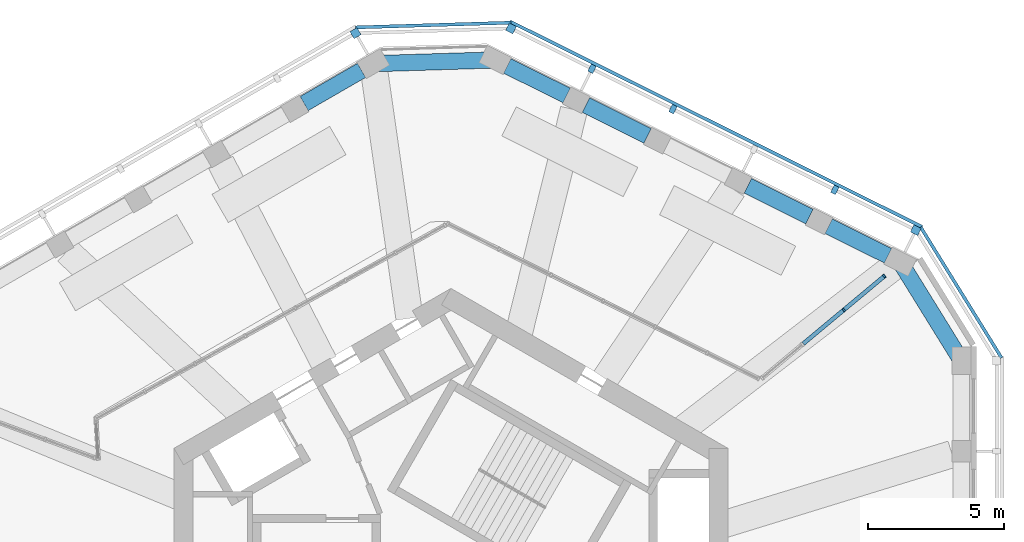
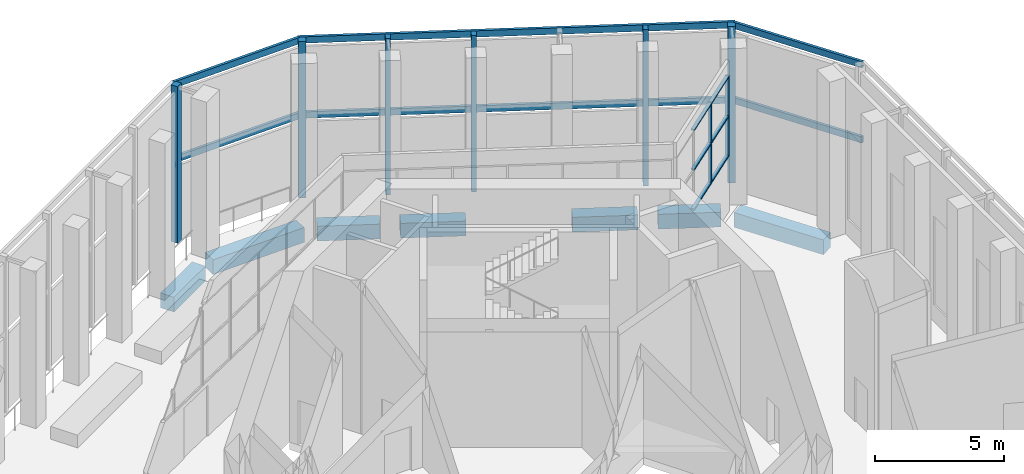
# One storey, part 5 of 16: 20 members, 7 beams, 5 elements without a shape of their own.
"""IFC4 building model written with IfcOpenShell, lengths in metres."""

from ifc_helpers import new_model, si_unit, direction, frame, origin, origin_2d, place, context, subcontext, project, spatial, rectangle, extrude, material, material_profile, profile_set, type_object, element, aggregate, save


model = new_model("IFC4")

# Units and contexts
model_context = context("Model", 3, precision=1e-05, world=origin(), true_north=direction((0.0, 1.0)))
body_context = subcontext(model_context, "Body", "Model", "MODEL_VIEW")
ifc_project = project(units=[si_unit("LENGTHUNIT", "METRE"), si_unit("AREAUNIT", "SQUARE_METRE"), si_unit("VOLUMEUNIT", "CUBIC_METRE"), si_unit("PLANEANGLEUNIT", "RADIAN"), si_unit("MASSUNIT", "GRAM", prefix="KILO")], contexts=[model_context])

# Site, building, storey
site_placement = place(None, origin())
site = spatial("IfcSite", under=ifc_project, at=site_placement, CompositionType="ELEMENT")
building_placement = place(site_placement, origin())
building = spatial("IfcBuilding", under=site, at=building_placement, Name="Vanh Sen Convention Tower", CompositionType="ELEMENT")
storey_placement = place(building_placement, frame((0.0, 0.0, 278.300048828125)))
storey = spatial("IfcBuildingStorey", under=building, at=storey_placement, Name="L69", CompositionType="ELEMENT", Elevation=278.300048828125)

# Curtain wall, members
ifc_material_1 = material(Name="Aluminium structural glazing system", Category="aluminium")
curtain_wall_type_1 = type_object("IfcCurtainWallType", Name="Sky garden structural glazing", PredefinedType="NOTDEFINED", material=ifc_material_1)
curtain_wall_1_placement = place(storey_placement, origin())
curtain_wall_1 = element("IfcCurtainWall", 1, at=curtain_wall_1_placement, inside=storey, type_object=curtain_wall_type_1, Name="Winter garden glazing 5 L69", PredefinedType="NOTDEFINED")
ifc_material_2 = material(Name="Aluminium mullion", Category="aluminium")
ifc_material_profile_1 = material_profile(ifc_material_2, rectangle(XDim=0.14990234375, YDim=0.070068359375, at=origin_2d()), Name="Garden glazing mullion 70 x 150")
ifc_profile_set_1 = profile_set([ifc_material_profile_1], Name="Aluminium mullion")
member_type_1 = type_object("IfcMemberType", Name="Garden glazing mullion 70 x 150", PredefinedType="MULLION", material=ifc_profile_set_1)
member_1_placement = place(storey_placement, frame((14.46826171875, 10.984619140625, 2.599853515625), z_axis=(0.0, 0.0, 1.0), x_axis=(-0.640091511877, 0.768298676572, 0.0)))
member_1 = element("IfcMember", 2, at=member_1_placement, type_object=member_type_1, Name="CW5 mullion 3", PredefinedType="MULLION", context=body_context, shape_type="SweptSolid", body=[
    extrude(rectangle(XDim=0.14990234375, YDim=0.070068359375, at=origin_2d()), origin(), (0.0, 0.0, 1.0), 3.820068359375),
])
member_2_placement = place(storey_placement, frame((15.960205078125, 12.2275390625, 2.599853515625), z_axis=(0.0, 0.0, 1.0), x_axis=(-0.640091511877, 0.768298676572, 0.0)))
member_2 = element("IfcMember", 3, at=member_2_placement, type_object=member_type_1, Name="CW5 mullion 4", PredefinedType="MULLION", context=body_context, shape_type="SweptSolid", body=[
    extrude(rectangle(XDim=0.14990234375, YDim=0.070068359375, at=origin_2d()), origin(), (0.0, 0.0, 1.0), 3.820068359375),
])
ifc_material_3 = material(Name="Aluminium transom", Category="aluminium")
ifc_material_profile_2 = material_profile(ifc_material_3, rectangle(XDim=0.14990234375, YDim=0.070068359375, at=origin_2d()), Name="Garden glazing transom 150 x 70")
ifc_profile_set_2 = profile_set([ifc_material_profile_2], Name="Aluminium transom")
member_type_2 = type_object("IfcMemberType", Name="Garden glazing transom 150 x 70", PredefinedType="USERDEFINED", material=ifc_profile_set_2)
member_3_placement = place(storey_placement, frame((12.976318359375, 9.74169921875, 2.635009765625), z_axis=(0.768273745987, 0.64012143475, 0.0), x_axis=(-0.64012143475, 0.768273745987, 0.0)))
member_3 = element("IfcMember", 4, at=member_3_placement, type_object=member_type_2, Name="CW5 transom 2.1", ObjectType="TRANSOM", PredefinedType="USERDEFINED", context=body_context, shape_type="SweptSolid", body=[
    extrude(rectangle(XDim=0.14990234375, YDim=0.070068359375, at=origin_2d()), origin(), (0.0, 0.0, 1.0), 1.906982421875),
])
member_4_placement = place(storey_placement, frame((12.976318359375, 9.74169921875, 4.510009765625), z_axis=(0.768273745987, 0.64012143475, 0.0), x_axis=(-0.64012143475, 0.768273745987, 0.0)))
member_4 = element("IfcMember", 5, at=member_4_placement, type_object=member_type_2, Name="CW5 transom 2.2", ObjectType="TRANSOM", PredefinedType="USERDEFINED", context=body_context, shape_type="SweptSolid", body=[
    extrude(rectangle(XDim=0.14990234375, YDim=0.070068359375, at=origin_2d()), origin(), (0.0, 0.0, 1.0), 1.906982421875),
])
member_5_placement = place(storey_placement, frame((12.976318359375, 9.74169921875, 6.385009765625), z_axis=(0.768273745987, 0.64012143475, 0.0), x_axis=(-0.64012143475, 0.768273745987, 0.0)))
member_5 = element("IfcMember", 6, at=member_5_placement, type_object=member_type_2, Name="CW5 transom 2.3", ObjectType="TRANSOM", PredefinedType="USERDEFINED", context=body_context, shape_type="SweptSolid", body=[
    extrude(rectangle(XDim=0.14990234375, YDim=0.070068359375, at=origin_2d()), origin(), (0.0, 0.0, 1.0), 1.906982421875),
])
member_6_placement = place(storey_placement, frame((14.4951171875, 11.007080078125, 2.635009765625), z_axis=(0.76830680886, 0.640081750607, 0.0), x_axis=(-0.640081750607, 0.76830680886, 0.0)))
member_6 = element("IfcMember", 7, at=member_6_placement, type_object=member_type_2, Name="CW5 transom 3.1", ObjectType="TRANSOM", PredefinedType="USERDEFINED", context=body_context, shape_type="SweptSolid", body=[
    extrude(rectangle(XDim=0.14990234375, YDim=0.070068359375, at=origin_2d()), origin(), (0.0, 0.0, 1.0), 1.87158203125),
])
member_7_placement = place(storey_placement, frame((14.4951171875, 11.007080078125, 4.510009765625), z_axis=(0.76830680886, 0.640081750607, 0.0), x_axis=(-0.640081750607, 0.76830680886, 0.0)))
member_7 = element("IfcMember", 8, at=member_7_placement, type_object=member_type_2, Name="CW5 transom 3.2", ObjectType="TRANSOM", PredefinedType="USERDEFINED", context=body_context, shape_type="SweptSolid", body=[
    extrude(rectangle(XDim=0.14990234375, YDim=0.070068359375, at=origin_2d()), origin(), (0.0, 0.0, 1.0), 1.87158203125),
])
member_8_placement = place(storey_placement, frame((14.4951171875, 11.007080078125, 6.385009765625), z_axis=(0.76830680886, 0.640081750607, 0.0), x_axis=(-0.640081750607, 0.76830680886, 0.0)))
member_8 = element("IfcMember", 9, at=member_8_placement, type_object=member_type_2, Name="CW5 transom 3.3", ObjectType="TRANSOM", PredefinedType="USERDEFINED", context=body_context, shape_type="SweptSolid", body=[
    extrude(rectangle(XDim=0.14990234375, YDim=0.070068359375, at=origin_2d()), origin(), (0.0, 0.0, 1.0), 1.87158203125),
])
aggregate(curtain_wall_1, [member_1, member_2, member_3, member_4, member_5, member_6, member_7, member_8])

ifc_material_4 = material(Name="Concrete C50/60", Category="concrete")
curtain_wall_type_2 = type_object("IfcCurtainWallType", Name="Outer skin office zone", PredefinedType="NOTDEFINED", material=ifc_material_4)
curtain_wall_2_placement = place(storey_placement, origin())
curtain_wall_2 = element("IfcCurtainWall", 10, at=curtain_wall_2_placement, inside=storey, type_object=curtain_wall_type_2, Name="OUTER SKIN NE L69", PredefinedType="NOTDEFINED")
ifc_material_profile_3 = material_profile(ifc_material_4, rectangle(XDim=0.300048828125, YDim=0.300048828125, at=origin_2d()), Name="Outer skin precast corner fin 300 x 300")
ifc_profile_set_3 = profile_set([ifc_material_profile_3], Name="Concrete C50/60")
member_type_3 = type_object("IfcMemberType", Name="Outer skin precast corner fin 300 x 300", PredefinedType="MULLION", material=ifc_profile_set_3)
member_9_placement = place(storey_placement, frame((17.122802734375, 13.922607421875, 0.0), z_axis=(0.0, 0.0, 1.0), x_axis=(-0.894934361602, 0.44619781311, 0.0)))
member_9 = element("IfcMember", 11, at=member_9_placement, type_object=member_type_3, Name="OUTER SKIN CORNER FIN 1 NE L69", PredefinedType="MULLION", context=body_context, shape_type="SweptSolid", body=[
    extrude(rectangle(XDim=0.300048828125, YDim=0.300048828125, at=origin_2d()), origin(), (0.0, 0.0, 1.0), 7.39990234375),
])
member_10_placement = place(storey_placement, frame((2.21484375, 21.35546875, 0.0), z_axis=(0.0, 0.0, 1.0), x_axis=(-0.894934361602, 0.44619781311, 0.0)))
member_10 = element("IfcMember", 12, at=member_10_placement, type_object=member_type_3, Name="OUTER SKIN CORNER FIN 6 NE L69", PredefinedType="MULLION", context=body_context, shape_type="SweptSolid", body=[
    extrude(rectangle(XDim=0.300048828125, YDim=0.300048828125, at=origin_2d()), origin(), (0.0, 0.0, 1.0), 7.39990234375),
])

# Curtain wall, member
curtain_wall_3_placement = place(storey_placement, origin())
curtain_wall_3 = element("IfcCurtainWall", 13, at=curtain_wall_3_placement, inside=storey, type_object=curtain_wall_type_2, Name="OUTER SKIN NW L69", PredefinedType="NOTDEFINED")
member_11_placement = place(storey_placement, frame((-3.514404296875, 21.180419921875, 0.0), z_axis=(0.0, 0.0, 1.0), x_axis=(-0.866025403784, -0.5, 0.0)))
member_11 = element("IfcMember", 14, at=member_11_placement, type_object=member_type_3, Name="OUTER SKIN CORNER FIN 1 NW L69", PredefinedType="MULLION", context=body_context, shape_type="SweptSolid", body=[
    extrude(rectangle(XDim=0.300048828125, YDim=0.300048828125, at=origin_2d()), origin(), (0.0, 0.0, 1.0), 7.39990234375),
])
aggregate(curtain_wall_3, [member_11])

# Member
ifc_material_profile_4 = material_profile(ifc_material_4, rectangle(XDim=0.199951171875, YDim=0.300048828125, at=origin_2d()), Name="Outer skin precast fin 200 x 300")
ifc_profile_set_4 = profile_set([ifc_material_profile_4], Name="Concrete C50/60")
member_type_4 = type_object("IfcMemberType", Name="Outer skin precast fin 200 x 300", PredefinedType="MULLION", material=ifc_profile_set_4)
member_12_placement = place(storey_placement, frame((14.14111328125, 15.4091796875, 0.0), z_axis=(0.0, 0.0, 1.0), x_axis=(-0.894934361602, 0.44619781311, 0.0)))
member_12 = element("IfcMember", 15, at=member_12_placement, type_object=member_type_4, Name="OUTER SKIN fin 2 NE L69", PredefinedType="MULLION", context=body_context, shape_type="SweptSolid", body=[
    extrude(rectangle(XDim=0.199951171875, YDim=0.300048828125, at=origin_2d()), origin(), (0.0, 0.0, 1.0), 7.39990234375),
])

member_13_placement = place(storey_placement, frame((8.177978515625, 18.38232421875, 0.0), z_axis=(0.0, 0.0, 1.0), x_axis=(-0.894934361602, 0.44619781311, 0.0)))
member_13 = element("IfcMember", 16, at=member_13_placement, type_object=member_type_4, Name="OUTER SKIN fin 4 NE L69", PredefinedType="MULLION", context=body_context, shape_type="SweptSolid", body=[
    extrude(rectangle(XDim=0.199951171875, YDim=0.300048828125, at=origin_2d()), origin(), (0.0, 0.0, 1.0), 7.39990234375),
])

member_14_placement = place(storey_placement, frame((5.1962890625, 19.868896484375, 0.0), z_axis=(0.0, 0.0, 1.0), x_axis=(-0.894934361602, 0.44619781311, 0.0)))
member_14 = element("IfcMember", 17, at=member_14_placement, type_object=member_type_4, Name="OUTER SKIN fin 5 NE L69", PredefinedType="MULLION", context=body_context, shape_type="SweptSolid", body=[
    extrude(rectangle(XDim=0.199951171875, YDim=0.300048828125, at=origin_2d()), origin(), (0.0, 0.0, 1.0), 7.39990234375),
])

# Curtain wall, members
curtain_wall_4_placement = place(storey_placement, origin())
curtain_wall_4 = element("IfcCurtainWall", 18, at=curtain_wall_4_placement, inside=storey, type_object=curtain_wall_type_2, Name="OUTER SKIN CH1 L69", PredefinedType="NOTDEFINED")
ifc_material_profile_5 = material_profile(ifc_material_4, rectangle(XDim=0.1201171875, YDim=0.300048828125, at=origin_2d()), Name="Outer skin precast spandrel band 300 x 120")
ifc_profile_set_5 = profile_set([ifc_material_profile_5], Name="Concrete C50/60")
member_type_5 = type_object("IfcMemberType", Name="Outer skin precast spandrel band 300 x 120", PredefinedType="USERDEFINED", material=ifc_profile_set_5)
member_15_placement = place(storey_placement, frame((20.278564453125, 9.221923828125, 7.25), z_axis=(-0.52621200061, 0.850353415007, 0.0), x_axis=(-0.850353415007, -0.52621200061, 0.0)))
member_15 = element("IfcMember", 19, at=member_15_placement, type_object=member_type_5, Name="OUTER SKIN spandrel band CH1 L69", ObjectType="TRANSOM", PredefinedType="USERDEFINED", context=body_context, shape_type="SweptSolid", body=[
    extrude(rectangle(XDim=0.1201171875, YDim=0.300048828125, at=origin_2d()), origin(), (0.0, 0.0, 1.0), 5.657958984375),
])
member_16_placement = place(storey_placement, frame((20.278564453125, 9.221923828125, 3.699951171875), z_axis=(-0.52621200061, 0.850353415007, 0.0), x_axis=(-0.850353415007, -0.52621200061, 0.0)))
member_16 = element("IfcMember", 20, at=member_16_placement, type_object=member_type_5, Name="OUTER SKIN spandrel band CH1 L69 mid", ObjectType="TRANSOM", PredefinedType="USERDEFINED", context=body_context, shape_type="SweptSolid", body=[
    extrude(rectangle(XDim=0.1201171875, YDim=0.300048828125, at=origin_2d()), origin(), (0.0, 0.0, 1.0), 5.657958984375),
])
aggregate(curtain_wall_4, [member_15, member_16])

# Member
member_17_placement = place(storey_placement, frame((17.3505859375, 14.043701171875, 7.25), z_axis=(-0.894933383827, 0.446199774218, 0.0), x_axis=(-0.446199774218, -0.894933383827, 0.0)))
member_17 = element("IfcMember", 21, at=member_17_placement, type_object=member_type_5, Name="OUTER SKIN spandrel band NE L69", ObjectType="TRANSOM", PredefinedType="USERDEFINED", context=body_context, shape_type="SweptSolid", body=[
    extrude(rectangle(XDim=0.1201171875, YDim=0.300048828125, at=origin_2d()), origin(), (0.0, 0.0, 1.0), 16.9580078125),
])

member_18_placement = place(storey_placement, frame((17.3505859375, 14.043701171875, 3.699951171875), z_axis=(-0.894933383827, 0.446199774218, 0.0), x_axis=(-0.446199774218, -0.894933383827, 0.0)))
member_18 = element("IfcMember", 22, at=member_18_placement, type_object=member_type_5, Name="OUTER SKIN spandrel band NE L69 mid", ObjectType="TRANSOM", PredefinedType="USERDEFINED", context=body_context, shape_type="SweptSolid", body=[
    extrude(rectangle(XDim=0.1201171875, YDim=0.300048828125, at=origin_2d()), origin(), (0.0, 0.0, 1.0), 16.9580078125),
])

aggregate(curtain_wall_2, [member_9, member_12, member_13, member_14, member_10, member_17, member_18])

# Curtain wall, members
curtain_wall_5_placement = place(storey_placement, origin())
curtain_wall_5 = element("IfcCurtainWall", 23, at=curtain_wall_5_placement, inside=storey, type_object=curtain_wall_type_2, Name="OUTER SKIN CH2 L69", PredefinedType="NOTDEFINED")
member_19_placement = place(storey_placement, frame((2.208251953125, 21.5654296875, 7.25), z_axis=(-0.999533527312, -0.030540592307, 0.0), x_axis=(0.030540592307, -0.999533527312, 0.0)))
member_19 = element("IfcMember", 24, at=member_19_placement, type_object=member_type_5, Name="OUTER SKIN spandrel band CH2 L69", ObjectType="TRANSOM", PredefinedType="USERDEFINED", context=body_context, shape_type="SweptSolid", body=[
    extrude(rectangle(XDim=0.1201171875, YDim=0.300048828125, at=origin_2d()), origin(), (0.0, 0.0, 1.0), 5.731689453125),
])
member_20_placement = place(storey_placement, frame((2.208251953125, 21.5654296875, 3.699951171875), z_axis=(-0.999533527312, -0.030540592307, 0.0), x_axis=(0.030540592307, -0.999533527312, 0.0)))
member_20 = element("IfcMember", 25, at=member_20_placement, type_object=member_type_5, Name="OUTER SKIN spandrel band CH2 L69 mid", ObjectType="TRANSOM", PredefinedType="USERDEFINED", context=body_context, shape_type="SweptSolid", body=[
    extrude(rectangle(XDim=0.1201171875, YDim=0.300048828125, at=origin_2d()), origin(), (0.0, 0.0, 1.0), 5.731689453125),
])
aggregate(curtain_wall_5, [member_19, member_20])

# Beams
ifc_material_5 = material(Name="Concrete C50/60", Category="concrete")
ifc_material_profile_6 = material_profile(ifc_material_5, rectangle(XDim=0.60009765625, YDim=0.699951171875, at=origin_2d()), Name="RC 600X700")
ifc_profile_set_6 = profile_set([ifc_material_profile_6], Name="Concrete C50/60")
beam_type = type_object("IfcBeamType", Name="Spandrel beam 600 x 700", PredefinedType="SPANDREL", material=ifc_profile_set_6)
beam_1_placement = place(storey_placement, frame((18.707763671875, 9.260498046875, -0.699951171875), z_axis=(-0.526205246262, 0.850357594666, 0.0), x_axis=(-0.850357594666, -0.526205246262, 0.0)))
element("IfcBeam", 26, at=beam_1_placement, inside=storey, type_object=beam_type, Name="Spandrel beam 06 L69", PredefinedType="SPANDREL", context=body_context, shape_type="SweptSolid", body=[
    extrude(rectangle(XDim=0.60009765625, YDim=0.699951171875, at=origin_2d()), origin(), (0.0, 0.0, 1.0), 3.93896484375),
])
beam_2_placement = place(storey_placement, frame((16.099609375, 12.97998046875, -0.699951171875), z_axis=(-0.894906625839, 0.446253438114, 0.0), x_axis=(-0.446253438114, -0.894906625839, 0.0)))
element("IfcBeam", 27, at=beam_2_placement, inside=storey, type_object=beam_type, Name="Spandrel beam 07 L69", PredefinedType="SPANDREL", context=body_context, shape_type="SweptSolid", body=[
    extrude(rectangle(XDim=0.60009765625, YDim=0.699951171875, at=origin_2d()), origin(), (0.0, 0.0, 1.0), 2.441650390625),
])
beam_3_placement = place(storey_placement, frame((13.20751953125, 14.422119140625, -0.699951171875), z_axis=(-0.894926162451, 0.446214257684, 0.0), x_axis=(-0.446214257684, -0.894926162451, 0.0)))
element("IfcBeam", 28, at=beam_3_placement, inside=storey, type_object=beam_type, Name="Spandrel beam 08 L69", PredefinedType="SPANDREL", context=body_context, shape_type="SweptSolid", body=[
    extrude(rectangle(XDim=0.60009765625, YDim=0.699951171875, at=origin_2d()), origin(), (0.0, 0.0, 1.0), 2.54150390625),
])
beam_4_placement = place(storey_placement, frame((7.244384765625, 17.395263671875, -0.699951171875), z_axis=(-0.894945286886, 0.446175899709, 0.0), x_axis=(-0.446175899709, -0.894945286886, 0.0)))
element("IfcBeam", 29, at=beam_4_placement, inside=storey, type_object=beam_type, Name="Spandrel beam 10 L69", PredefinedType="SPANDREL", context=body_context, shape_type="SweptSolid", body=[
    extrude(rectangle(XDim=0.60009765625, YDim=0.699951171875, at=origin_2d()), origin(), (0.0, 0.0, 1.0), 2.541748046875),
])
beam_5_placement = place(storey_placement, frame((4.2626953125, 18.881591796875, -0.699951171875), z_axis=(-0.894906625839, 0.446253438114, 0.0), x_axis=(-0.446253438114, -0.894906625839, 0.0)))
element("IfcBeam", 30, at=beam_5_placement, inside=storey, type_object=beam_type, Name="Spandrel beam 11 L69", PredefinedType="SPANDREL", context=body_context, shape_type="SweptSolid", body=[
    extrude(rectangle(XDim=0.60009765625, YDim=0.699951171875, at=origin_2d()), origin(), (0.0, 0.0, 1.0), 2.441650390625),
])
beam_6_placement = place(storey_placement, frame((1.458740234375, 20.186767578125, -0.699951171875), z_axis=(-0.99953353558, -0.030540321734, 0.0), x_axis=(0.030540321734, -0.99953353558, 0.0)))
element("IfcBeam", 31, at=beam_6_placement, inside=storey, type_object=beam_type, Name="Spandrel beam 12 L69", PredefinedType="SPANDREL", context=body_context, shape_type="SweptSolid", body=[
    extrude(rectangle(XDim=0.60009765625, YDim=0.699951171875, at=origin_2d()), origin(), (0.0, 0.0, 1.0), 4.14892578125),
])
beam_7_placement = place(storey_placement, frame((-3.29296875, 19.80712890625, -0.699951171875), z_axis=(-0.866000753341, -0.500042693391, 0.0), x_axis=(0.500042693391, -0.866000753341, 0.0)))
element("IfcBeam", 32, at=beam_7_placement, inside=storey, type_object=beam_type, Name="Spandrel beam 13 L69", PredefinedType="SPANDREL", context=body_context, shape_type="SweptSolid", body=[
    extrude(rectangle(XDim=0.60009765625, YDim=0.699951171875, at=origin_2d()), origin(), (0.0, 0.0, 1.0), 2.441650390625),
])

save(model, "model.ifc")
